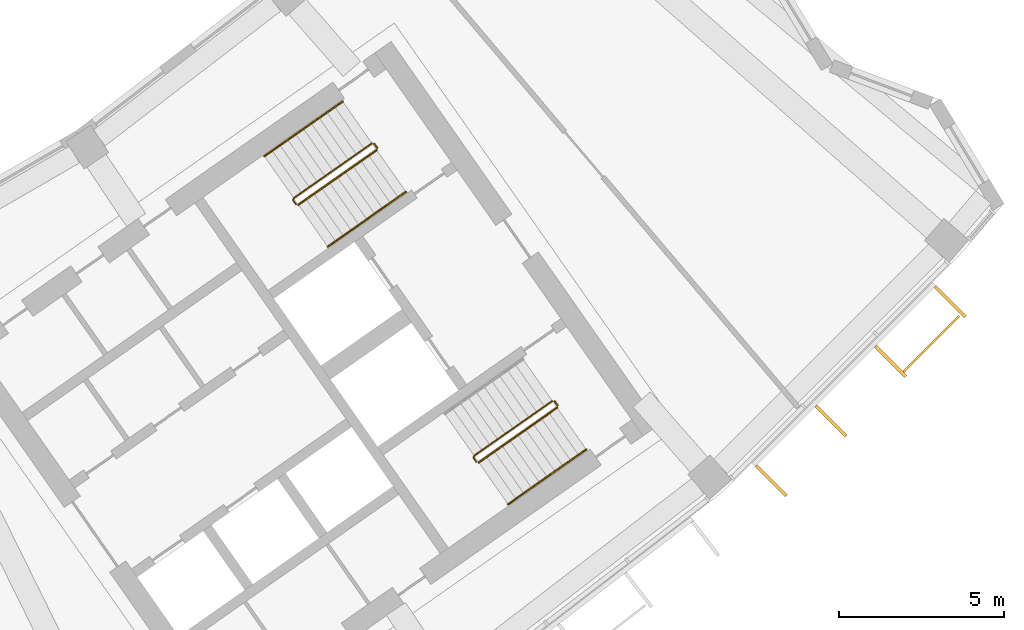
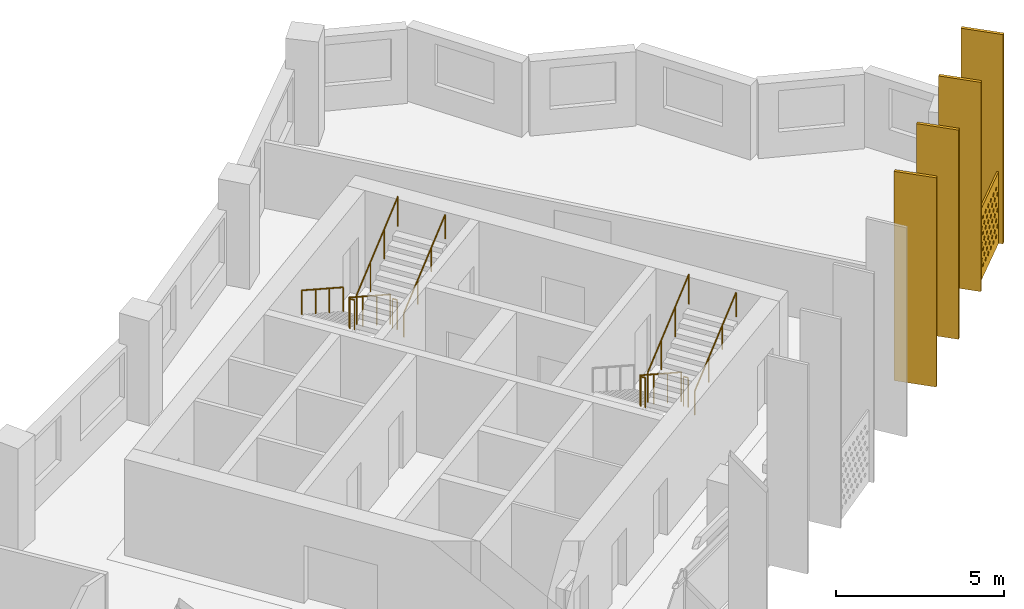
# One storey, part 28 of 28: 9 railings, 5 shading devices.
"""IFC4 building model written with IfcOpenShell, lengths in metres."""

from ifc_helpers import new_model, si_unit, direction, frame, origin, origin_2d, place, context, subcontext, project, spatial, polyline, rectangle, circle, outline, extrude, material, material_profile, profile_set, type_object, element, save


model = new_model("IFC4")

# Units and contexts
model_context = context("Model", 3, precision=1e-05, world=origin(), true_north=direction((0.0, 1.0)))
body_context = subcontext(model_context, "Body", "Model", "MODEL_VIEW")
ifc_project = project(units=[si_unit("LENGTHUNIT", "METRE"), si_unit("AREAUNIT", "SQUARE_METRE"), si_unit("VOLUMEUNIT", "CUBIC_METRE"), si_unit("PLANEANGLEUNIT", "RADIAN"), si_unit("MASSUNIT", "GRAM", prefix="KILO")], contexts=[model_context])

# Site, building, storey
site_placement = place(None, origin())
site = spatial("IfcSite", under=ifc_project, at=site_placement, CompositionType="ELEMENT")
building_placement = place(site_placement, origin())
building = spatial("IfcBuilding", under=site, at=building_placement, Name="Qamariyya Broadcast Tower", CompositionType="ELEMENT")
storey_placement = place(building_placement, frame((0.0, 0.0, 265.699951171875)))
storey = spatial("IfcBuildingStorey", under=building, at=storey_placement, Name="L64", CompositionType="ELEMENT", Elevation=265.699951171875)

# Shading device
ifc_material_1 = material(Name="Perforated glazed terracotta", Category="masonry")
ifc_material_profile_1 = material_profile(ifc_material_1, outline(polyline([(-1.199951171875, -1.300048828125), (1.199951171875, -1.300048828125), (1.199951171875, 1.300048828125), (-1.199951171875, 1.300048828125), (-1.199951171875, -1.300048828125)]), holes=[polyline([(-0.81494140625, -0.86669921875), (-0.89990234375, -0.78173828125), (-0.985107421875, -0.86669921875), (-0.89990234375, -0.95166015625), (-0.81494140625, -0.86669921875)]), polyline([(-0.514892578125, -0.86669921875), (-0.60009765625, -0.78173828125), (-0.68505859375, -0.86669921875), (-0.60009765625, -0.95166015625), (-0.514892578125, -0.86669921875)]), polyline([(-0.215087890625, -0.86669921875), (-0.300048828125, -0.78173828125), (-0.385009765625, -0.86669921875), (-0.300048828125, -0.95166015625), (-0.215087890625, -0.86669921875)]), polyline([(0.0849609375, -0.86669921875), (0.0, -0.78173828125), (-0.0849609375, -0.86669921875), (0.0, -0.95166015625), (0.0849609375, -0.86669921875)]), polyline([(0.385009765625, -0.86669921875), (0.300048828125, -0.78173828125), (0.215087890625, -0.86669921875), (0.300048828125, -0.95166015625), (0.385009765625, -0.86669921875)]), polyline([(0.68505859375, -0.86669921875), (0.60009765625, -0.78173828125), (0.514892578125, -0.86669921875), (0.60009765625, -0.95166015625), (0.68505859375, -0.86669921875)]), polyline([(0.985107421875, -0.86669921875), (0.89990234375, -0.78173828125), (0.81494140625, -0.86669921875), (0.89990234375, -0.95166015625), (0.985107421875, -0.86669921875)]), polyline([(-0.965087890625, -0.577880859375), (-1.050048828125, -0.49267578125), (-1.135009765625, -0.577880859375), (-1.050048828125, -0.662841796875), (-0.965087890625, -0.577880859375)]), polyline([(-0.6650390625, -0.577880859375), (-0.75, -0.49267578125), (-0.8349609375, -0.577880859375), (-0.75, -0.662841796875), (-0.6650390625, -0.577880859375)]), polyline([(-0.364990234375, -0.577880859375), (-0.449951171875, -0.49267578125), (-0.534912109375, -0.577880859375), (-0.449951171875, -0.662841796875), (-0.364990234375, -0.577880859375)]), polyline([(-0.06494140625, -0.577880859375), (-0.14990234375, -0.49267578125), (-0.235107421875, -0.577880859375), (-0.14990234375, -0.662841796875), (-0.06494140625, -0.577880859375)]), polyline([(0.235107421875, -0.577880859375), (0.14990234375, -0.49267578125), (0.06494140625, -0.577880859375), (0.14990234375, -0.662841796875), (0.235107421875, -0.577880859375)]), polyline([(0.534912109375, -0.577880859375), (0.449951171875, -0.49267578125), (0.364990234375, -0.577880859375), (0.449951171875, -0.662841796875), (0.534912109375, -0.577880859375)]), polyline([(0.8349609375, -0.577880859375), (0.75, -0.49267578125), (0.6650390625, -0.577880859375), (0.75, -0.662841796875), (0.8349609375, -0.577880859375)]), polyline([(1.135009765625, -0.577880859375), (1.050048828125, -0.49267578125), (0.965087890625, -0.577880859375), (1.050048828125, -0.662841796875), (1.135009765625, -0.577880859375)]), polyline([(-0.81494140625, -0.288818359375), (-0.89990234375, -0.203857421875), (-0.985107421875, -0.288818359375), (-0.89990234375, -0.373779296875), (-0.81494140625, -0.288818359375)]), polyline([(-0.514892578125, -0.288818359375), (-0.60009765625, -0.203857421875), (-0.68505859375, -0.288818359375), (-0.60009765625, -0.373779296875), (-0.514892578125, -0.288818359375)]), polyline([(-0.215087890625, -0.288818359375), (-0.300048828125, -0.203857421875), (-0.385009765625, -0.288818359375), (-0.300048828125, -0.373779296875), (-0.215087890625, -0.288818359375)]), polyline([(0.0849609375, -0.288818359375), (0.0, -0.203857421875), (-0.0849609375, -0.288818359375), (0.0, -0.373779296875), (0.0849609375, -0.288818359375)]), polyline([(0.385009765625, -0.288818359375), (0.300048828125, -0.203857421875), (0.215087890625, -0.288818359375), (0.300048828125, -0.373779296875), (0.385009765625, -0.288818359375)]), polyline([(0.68505859375, -0.288818359375), (0.60009765625, -0.203857421875), (0.514892578125, -0.288818359375), (0.60009765625, -0.373779296875), (0.68505859375, -0.288818359375)]), polyline([(0.985107421875, -0.288818359375), (0.89990234375, -0.203857421875), (0.81494140625, -0.288818359375), (0.89990234375, -0.373779296875), (0.985107421875, -0.288818359375)]), polyline([(-0.965087890625, 0.0), (-1.050048828125, 0.0849609375), (-1.135009765625, 0.0), (-1.050048828125, -0.0849609375), (-0.965087890625, 0.0)]), polyline([(-0.6650390625, 0.0), (-0.75, 0.0849609375), (-0.8349609375, 0.0), (-0.75, -0.0849609375), (-0.6650390625, 0.0)]), polyline([(-0.364990234375, 0.0), (-0.449951171875, 0.0849609375), (-0.534912109375, 0.0), (-0.449951171875, -0.0849609375), (-0.364990234375, 0.0)]), polyline([(-0.06494140625, 0.0), (-0.14990234375, 0.0849609375), (-0.235107421875, 0.0), (-0.14990234375, -0.0849609375), (-0.06494140625, 0.0)]), polyline([(0.235107421875, 0.0), (0.14990234375, 0.0849609375), (0.06494140625, 0.0), (0.14990234375, -0.0849609375), (0.235107421875, 0.0)]), polyline([(0.534912109375, 0.0), (0.449951171875, 0.0849609375), (0.364990234375, 0.0), (0.449951171875, -0.0849609375), (0.534912109375, 0.0)]), polyline([(0.8349609375, 0.0), (0.75, 0.0849609375), (0.6650390625, 0.0), (0.75, -0.0849609375), (0.8349609375, 0.0)]), polyline([(1.135009765625, 0.0), (1.050048828125, 0.0849609375), (0.965087890625, 0.0), (1.050048828125, -0.0849609375), (1.135009765625, 0.0)]), polyline([(-0.81494140625, 0.288818359375), (-0.89990234375, 0.373779296875), (-0.985107421875, 0.288818359375), (-0.89990234375, 0.203857421875), (-0.81494140625, 0.288818359375)]), polyline([(-0.514892578125, 0.288818359375), (-0.60009765625, 0.373779296875), (-0.68505859375, 0.288818359375), (-0.60009765625, 0.203857421875), (-0.514892578125, 0.288818359375)]), polyline([(-0.215087890625, 0.288818359375), (-0.300048828125, 0.373779296875), (-0.385009765625, 0.288818359375), (-0.300048828125, 0.203857421875), (-0.215087890625, 0.288818359375)]), polyline([(0.0849609375, 0.288818359375), (0.0, 0.373779296875), (-0.0849609375, 0.288818359375), (0.0, 0.203857421875), (0.0849609375, 0.288818359375)]), polyline([(0.385009765625, 0.288818359375), (0.300048828125, 0.373779296875), (0.215087890625, 0.288818359375), (0.300048828125, 0.203857421875), (0.385009765625, 0.288818359375)]), polyline([(0.68505859375, 0.288818359375), (0.60009765625, 0.373779296875), (0.514892578125, 0.288818359375), (0.60009765625, 0.203857421875), (0.68505859375, 0.288818359375)]), polyline([(0.985107421875, 0.288818359375), (0.89990234375, 0.373779296875), (0.81494140625, 0.288818359375), (0.89990234375, 0.203857421875), (0.985107421875, 0.288818359375)]), polyline([(-0.965087890625, 0.577880859375), (-1.050048828125, 0.662841796875), (-1.135009765625, 0.577880859375), (-1.050048828125, 0.49267578125), (-0.965087890625, 0.577880859375)]), polyline([(-0.6650390625, 0.577880859375), (-0.75, 0.662841796875), (-0.8349609375, 0.577880859375), (-0.75, 0.49267578125), (-0.6650390625, 0.577880859375)]), polyline([(-0.364990234375, 0.577880859375), (-0.449951171875, 0.662841796875), (-0.534912109375, 0.577880859375), (-0.449951171875, 0.49267578125), (-0.364990234375, 0.577880859375)]), polyline([(-0.06494140625, 0.577880859375), (-0.14990234375, 0.662841796875), (-0.235107421875, 0.577880859375), (-0.14990234375, 0.49267578125), (-0.06494140625, 0.577880859375)]), polyline([(0.235107421875, 0.577880859375), (0.14990234375, 0.662841796875), (0.06494140625, 0.577880859375), (0.14990234375, 0.49267578125), (0.235107421875, 0.577880859375)]), polyline([(0.534912109375, 0.577880859375), (0.449951171875, 0.662841796875), (0.364990234375, 0.577880859375), (0.449951171875, 0.49267578125), (0.534912109375, 0.577880859375)]), polyline([(0.8349609375, 0.577880859375), (0.75, 0.662841796875), (0.6650390625, 0.577880859375), (0.75, 0.49267578125), (0.8349609375, 0.577880859375)]), polyline([(1.135009765625, 0.577880859375), (1.050048828125, 0.662841796875), (0.965087890625, 0.577880859375), (1.050048828125, 0.49267578125), (1.135009765625, 0.577880859375)]), polyline([(-0.81494140625, 0.86669921875), (-0.89990234375, 0.95166015625), (-0.985107421875, 0.86669921875), (-0.89990234375, 0.78173828125), (-0.81494140625, 0.86669921875)]), polyline([(-0.514892578125, 0.86669921875), (-0.60009765625, 0.95166015625), (-0.68505859375, 0.86669921875), (-0.60009765625, 0.78173828125), (-0.514892578125, 0.86669921875)]), polyline([(-0.215087890625, 0.86669921875), (-0.300048828125, 0.95166015625), (-0.385009765625, 0.86669921875), (-0.300048828125, 0.78173828125), (-0.215087890625, 0.86669921875)]), polyline([(0.0849609375, 0.86669921875), (0.0, 0.95166015625), (-0.0849609375, 0.86669921875), (0.0, 0.78173828125), (0.0849609375, 0.86669921875)]), polyline([(0.385009765625, 0.86669921875), (0.300048828125, 0.95166015625), (0.215087890625, 0.86669921875), (0.300048828125, 0.78173828125), (0.385009765625, 0.86669921875)]), polyline([(0.68505859375, 0.86669921875), (0.60009765625, 0.95166015625), (0.514892578125, 0.86669921875), (0.60009765625, 0.78173828125), (0.68505859375, 0.86669921875)]), polyline([(0.985107421875, 0.86669921875), (0.89990234375, 0.95166015625), (0.81494140625, 0.86669921875), (0.89990234375, 0.78173828125), (0.985107421875, 0.86669921875)])]))
ifc_profile_set_1 = profile_set([ifc_material_profile_1], Name="Perforated glazed terracotta")
shading_device_type_1 = type_object("IfcShadingDeviceType", Name="Perforated terracotta screen 2400 x 2600", PredefinedType="USERDEFINED", material=ifc_profile_set_1)
shading_device_placement = place(storey_placement, frame((57.970947265625, -54.391357421875, 1.35009765625), z_axis=(0.707106781187, -0.707106781187, 0.0), x_axis=(0.707106781187, 0.707106781187, 0.0)))
element("IfcShadingDevice", 1, at=shading_device_placement, inside=storey, type_object=shading_device_type_1, Name="e-scr-L64-13-2", ObjectType="SCREEN", PredefinedType="USERDEFINED", context=body_context, shape_type="SweptSolid", body=[
    extrude(outline(polyline([(-1.199951171875, -1.300048828125), (1.199951171875, -1.300048828125), (1.199951171875, 1.300048828125), (-1.199951171875, 1.300048828125), (-1.199951171875, -1.300048828125)]), holes=[polyline([(-0.81494140625, -0.86669921875), (-0.89990234375, -0.78173828125), (-0.985107421875, -0.86669921875), (-0.89990234375, -0.95166015625), (-0.81494140625, -0.86669921875)]), polyline([(-0.514892578125, -0.86669921875), (-0.60009765625, -0.78173828125), (-0.68505859375, -0.86669921875), (-0.60009765625, -0.95166015625), (-0.514892578125, -0.86669921875)]), polyline([(-0.215087890625, -0.86669921875), (-0.300048828125, -0.78173828125), (-0.385009765625, -0.86669921875), (-0.300048828125, -0.95166015625), (-0.215087890625, -0.86669921875)]), polyline([(0.0849609375, -0.86669921875), (0.0, -0.78173828125), (-0.0849609375, -0.86669921875), (0.0, -0.95166015625), (0.0849609375, -0.86669921875)]), polyline([(0.385009765625, -0.86669921875), (0.300048828125, -0.78173828125), (0.215087890625, -0.86669921875), (0.300048828125, -0.95166015625), (0.385009765625, -0.86669921875)]), polyline([(0.68505859375, -0.86669921875), (0.60009765625, -0.78173828125), (0.514892578125, -0.86669921875), (0.60009765625, -0.95166015625), (0.68505859375, -0.86669921875)]), polyline([(0.985107421875, -0.86669921875), (0.89990234375, -0.78173828125), (0.81494140625, -0.86669921875), (0.89990234375, -0.95166015625), (0.985107421875, -0.86669921875)]), polyline([(-0.965087890625, -0.577880859375), (-1.050048828125, -0.49267578125), (-1.135009765625, -0.577880859375), (-1.050048828125, -0.662841796875), (-0.965087890625, -0.577880859375)]), polyline([(-0.6650390625, -0.577880859375), (-0.75, -0.49267578125), (-0.8349609375, -0.577880859375), (-0.75, -0.662841796875), (-0.6650390625, -0.577880859375)]), polyline([(-0.364990234375, -0.577880859375), (-0.449951171875, -0.49267578125), (-0.534912109375, -0.577880859375), (-0.449951171875, -0.662841796875), (-0.364990234375, -0.577880859375)]), polyline([(-0.06494140625, -0.577880859375), (-0.14990234375, -0.49267578125), (-0.235107421875, -0.577880859375), (-0.14990234375, -0.662841796875), (-0.06494140625, -0.577880859375)]), polyline([(0.235107421875, -0.577880859375), (0.14990234375, -0.49267578125), (0.06494140625, -0.577880859375), (0.14990234375, -0.662841796875), (0.235107421875, -0.577880859375)]), polyline([(0.534912109375, -0.577880859375), (0.449951171875, -0.49267578125), (0.364990234375, -0.577880859375), (0.449951171875, -0.662841796875), (0.534912109375, -0.577880859375)]), polyline([(0.8349609375, -0.577880859375), (0.75, -0.49267578125), (0.6650390625, -0.577880859375), (0.75, -0.662841796875), (0.8349609375, -0.577880859375)]), polyline([(1.135009765625, -0.577880859375), (1.050048828125, -0.49267578125), (0.965087890625, -0.577880859375), (1.050048828125, -0.662841796875), (1.135009765625, -0.577880859375)]), polyline([(-0.81494140625, -0.288818359375), (-0.89990234375, -0.203857421875), (-0.985107421875, -0.288818359375), (-0.89990234375, -0.373779296875), (-0.81494140625, -0.288818359375)]), polyline([(-0.514892578125, -0.288818359375), (-0.60009765625, -0.203857421875), (-0.68505859375, -0.288818359375), (-0.60009765625, -0.373779296875), (-0.514892578125, -0.288818359375)]), polyline([(-0.215087890625, -0.288818359375), (-0.300048828125, -0.203857421875), (-0.385009765625, -0.288818359375), (-0.300048828125, -0.373779296875), (-0.215087890625, -0.288818359375)]), polyline([(0.0849609375, -0.288818359375), (0.0, -0.203857421875), (-0.0849609375, -0.288818359375), (0.0, -0.373779296875), (0.0849609375, -0.288818359375)]), polyline([(0.385009765625, -0.288818359375), (0.300048828125, -0.203857421875), (0.215087890625, -0.288818359375), (0.300048828125, -0.373779296875), (0.385009765625, -0.288818359375)]), polyline([(0.68505859375, -0.288818359375), (0.60009765625, -0.203857421875), (0.514892578125, -0.288818359375), (0.60009765625, -0.373779296875), (0.68505859375, -0.288818359375)]), polyline([(0.985107421875, -0.288818359375), (0.89990234375, -0.203857421875), (0.81494140625, -0.288818359375), (0.89990234375, -0.373779296875), (0.985107421875, -0.288818359375)]), polyline([(-0.965087890625, 0.0), (-1.050048828125, 0.0849609375), (-1.135009765625, 0.0), (-1.050048828125, -0.0849609375), (-0.965087890625, 0.0)]), polyline([(-0.6650390625, 0.0), (-0.75, 0.0849609375), (-0.8349609375, 0.0), (-0.75, -0.0849609375), (-0.6650390625, 0.0)]), polyline([(-0.364990234375, 0.0), (-0.449951171875, 0.0849609375), (-0.534912109375, 0.0), (-0.449951171875, -0.0849609375), (-0.364990234375, 0.0)]), polyline([(-0.06494140625, 0.0), (-0.14990234375, 0.0849609375), (-0.235107421875, 0.0), (-0.14990234375, -0.0849609375), (-0.06494140625, 0.0)]), polyline([(0.235107421875, 0.0), (0.14990234375, 0.0849609375), (0.06494140625, 0.0), (0.14990234375, -0.0849609375), (0.235107421875, 0.0)]), polyline([(0.534912109375, 0.0), (0.449951171875, 0.0849609375), (0.364990234375, 0.0), (0.449951171875, -0.0849609375), (0.534912109375, 0.0)]), polyline([(0.8349609375, 0.0), (0.75, 0.0849609375), (0.6650390625, 0.0), (0.75, -0.0849609375), (0.8349609375, 0.0)]), polyline([(1.135009765625, 0.0), (1.050048828125, 0.0849609375), (0.965087890625, 0.0), (1.050048828125, -0.0849609375), (1.135009765625, 0.0)]), polyline([(-0.81494140625, 0.288818359375), (-0.89990234375, 0.373779296875), (-0.985107421875, 0.288818359375), (-0.89990234375, 0.203857421875), (-0.81494140625, 0.288818359375)]), polyline([(-0.514892578125, 0.288818359375), (-0.60009765625, 0.373779296875), (-0.68505859375, 0.288818359375), (-0.60009765625, 0.203857421875), (-0.514892578125, 0.288818359375)]), polyline([(-0.215087890625, 0.288818359375), (-0.300048828125, 0.373779296875), (-0.385009765625, 0.288818359375), (-0.300048828125, 0.203857421875), (-0.215087890625, 0.288818359375)]), polyline([(0.0849609375, 0.288818359375), (0.0, 0.373779296875), (-0.0849609375, 0.288818359375), (0.0, 0.203857421875), (0.0849609375, 0.288818359375)]), polyline([(0.385009765625, 0.288818359375), (0.300048828125, 0.373779296875), (0.215087890625, 0.288818359375), (0.300048828125, 0.203857421875), (0.385009765625, 0.288818359375)]), polyline([(0.68505859375, 0.288818359375), (0.60009765625, 0.373779296875), (0.514892578125, 0.288818359375), (0.60009765625, 0.203857421875), (0.68505859375, 0.288818359375)]), polyline([(0.985107421875, 0.288818359375), (0.89990234375, 0.373779296875), (0.81494140625, 0.288818359375), (0.89990234375, 0.203857421875), (0.985107421875, 0.288818359375)]), polyline([(-0.965087890625, 0.577880859375), (-1.050048828125, 0.662841796875), (-1.135009765625, 0.577880859375), (-1.050048828125, 0.49267578125), (-0.965087890625, 0.577880859375)]), polyline([(-0.6650390625, 0.577880859375), (-0.75, 0.662841796875), (-0.8349609375, 0.577880859375), (-0.75, 0.49267578125), (-0.6650390625, 0.577880859375)]), polyline([(-0.364990234375, 0.577880859375), (-0.449951171875, 0.662841796875), (-0.534912109375, 0.577880859375), (-0.449951171875, 0.49267578125), (-0.364990234375, 0.577880859375)]), polyline([(-0.06494140625, 0.577880859375), (-0.14990234375, 0.662841796875), (-0.235107421875, 0.577880859375), (-0.14990234375, 0.49267578125), (-0.06494140625, 0.577880859375)]), polyline([(0.235107421875, 0.577880859375), (0.14990234375, 0.662841796875), (0.06494140625, 0.577880859375), (0.14990234375, 0.49267578125), (0.235107421875, 0.577880859375)]), polyline([(0.534912109375, 0.577880859375), (0.449951171875, 0.662841796875), (0.364990234375, 0.577880859375), (0.449951171875, 0.49267578125), (0.534912109375, 0.577880859375)]), polyline([(0.8349609375, 0.577880859375), (0.75, 0.662841796875), (0.6650390625, 0.577880859375), (0.75, 0.49267578125), (0.8349609375, 0.577880859375)]), polyline([(1.135009765625, 0.577880859375), (1.050048828125, 0.662841796875), (0.965087890625, 0.577880859375), (1.050048828125, 0.49267578125), (1.135009765625, 0.577880859375)]), polyline([(-0.81494140625, 0.86669921875), (-0.89990234375, 0.95166015625), (-0.985107421875, 0.86669921875), (-0.89990234375, 0.78173828125), (-0.81494140625, 0.86669921875)]), polyline([(-0.514892578125, 0.86669921875), (-0.60009765625, 0.95166015625), (-0.68505859375, 0.86669921875), (-0.60009765625, 0.78173828125), (-0.514892578125, 0.86669921875)]), polyline([(-0.215087890625, 0.86669921875), (-0.300048828125, 0.95166015625), (-0.385009765625, 0.86669921875), (-0.300048828125, 0.78173828125), (-0.215087890625, 0.86669921875)]), polyline([(0.0849609375, 0.86669921875), (0.0, 0.95166015625), (-0.0849609375, 0.86669921875), (0.0, 0.78173828125), (0.0849609375, 0.86669921875)]), polyline([(0.385009765625, 0.86669921875), (0.300048828125, 0.95166015625), (0.215087890625, 0.86669921875), (0.300048828125, 0.78173828125), (0.385009765625, 0.86669921875)]), polyline([(0.68505859375, 0.86669921875), (0.60009765625, 0.95166015625), (0.514892578125, 0.86669921875), (0.60009765625, 0.78173828125), (0.68505859375, 0.86669921875)]), polyline([(0.985107421875, 0.86669921875), (0.89990234375, 0.95166015625), (0.81494140625, 0.86669921875), (0.89990234375, 0.78173828125), (0.985107421875, 0.86669921875)])]), origin(), (0.0, 0.0, 1.0), 0.06005859375),
])

# Railings
ifc_material_2 = material(Name="Painted steel", Category="steel")
railing_type_1 = type_object("IfcRailingType", Name="Stair guard", PredefinedType="GUARDRAIL", material=ifc_material_2)
railing_1_placement = place(storey_placement, frame((41.003173828125, -48.320068359375, 0.1728515625)))
element("IfcRailing", 2, at=railing_1_placement, inside=storey, type_object=railing_type_1, Name="L64 ST-E2 stair guard 1", PredefinedType="GUARDRAIL", context=body_context, shape_type="SweptSolid", body=[
    extrude(circle(Radius=0.02392578125, at=origin_2d()), frame((0.0, 0.0, 1.076171875), z_axis=(-0.703770094002, -0.492783725636, 0.511734163933), x_axis=(0.573575343427, -0.819152809562, 0.0)), (0.0, 0.0, 1.0), 3.37548828125),
    extrude(circle(Radius=0.02392578125, at=origin_2d()), frame((-2.37548828125, -1.663330078125, 2.80322265625), z_axis=(-0.172799478008, -0.984957024646, 0.0), x_axis=(0.984957024646, -0.172799478008, 0.0)), (0.0, 0.0, 1.0), 0.070556640625),
    extrude(circle(Radius=0.02392578125, at=origin_2d()), frame((-2.3876953125, -1.73291015625, 2.80322265625), z_axis=(0.572588637393, -0.819842821722, 0.0), x_axis=(0.819842821722, 0.572588637393, 0.0)), (0.0, 0.0, 1.0), 0.150146484375),
    extrude(circle(Radius=0.02099609375, at=origin_2d()), origin(), (0.0, 0.0, 1.0), 1.052001953125),
    extrude(circle(Radius=0.02099609375, at=origin_2d()), frame((-0.791748046875, -0.554443359375, 0.57568359375)), (0.0, 0.0, 1.0), 1.052001953125),
    extrude(circle(Radius=0.02099609375, at=origin_2d()), frame((-1.583740234375, -1.10888671875, 1.151611328125)), (0.0, 0.0, 1.0), 1.052001953125),
    extrude(circle(Radius=0.02099609375, at=origin_2d()), frame((-2.37548828125, -1.663330078125, 1.727294921875)), (0.0, 0.0, 1.0), 1.052001953125),
    extrude(circle(Radius=0.02099609375, at=origin_2d()), frame((-2.3876953125, -1.73291015625, 1.727294921875)), (0.0, 0.0, 1.0), 1.052001953125),
    extrude(circle(Radius=0.02099609375, at=origin_2d()), frame((-2.3017578125, -1.85595703125, 1.727294921875)), (0.0, 0.0, 1.0), 1.052001953125),
])
railing_2_placement = place(storey_placement, frame((38.771240234375, -50.188232421875, 2.07275390625)))
element("IfcRailing", 3, at=railing_2_placement, inside=storey, type_object=railing_type_1, Name="L64 ST-E2 stair guard 2", PredefinedType="GUARDRAIL", context=body_context, shape_type="SweptSolid", body=[
    extrude(circle(Radius=0.02392578125, at=origin_2d()), frame((0.0, 0.0, 1.076171875), z_axis=(0.703770094002, 0.492783725636, 0.511734163933), x_axis=(-0.573575343427, 0.819152809562, 0.0)), (0.0, 0.0, 1.0), 3.37548828125),
    extrude(circle(Radius=0.02099609375, at=origin_2d()), origin(), (0.0, 0.0, 1.0), 1.052001953125),
    extrude(circle(Radius=0.02099609375, at=origin_2d()), frame((0.791748046875, 0.554443359375, 0.57568359375)), (0.0, 0.0, 1.0), 1.052001953125),
    extrude(circle(Radius=0.02099609375, at=origin_2d()), frame((1.583740234375, 1.10888671875, 1.151611328125)), (0.0, 0.0, 1.0), 1.052001953125),
    extrude(circle(Radius=0.02099609375, at=origin_2d()), frame((2.37548828125, 1.663330078125, 1.727294921875)), (0.0, 0.0, 1.0), 1.052001953125),
])
railing_3_placement = place(storey_placement, frame((41.072998046875, -48.332275390625, 0.0)))
element("IfcRailing", 4, at=railing_3_placement, inside=storey, type_object=railing_type_1, Name="L64 ST-E2 stair guard 3", PredefinedType="GUARDRAIL", context=body_context, shape_type="SweptSolid", body=[
    extrude(circle(Radius=0.02392578125, at=origin_2d()), frame((0.0, 0.0, 1.076171875), z_axis=(0.572588637393, -0.819842821722, 0.0), x_axis=(0.819842821722, 0.572588637393, 0.0)), (0.0, 0.0, 1.0), 0.150146484375),
    extrude(circle(Radius=0.02099609375, at=origin_2d()), origin(), (0.0, 0.0, 1.0), 1.052001953125),
    extrude(circle(Radius=0.02099609375, at=origin_2d()), frame((0.0859375, -0.123046875, 0.0)), (0.0, 0.0, 1.0), 1.052001953125),
])
railing_4_placement = place(storey_placement, frame((46.48095703125, -56.14306640625, 0.1728515625)))
element("IfcRailing", 5, at=railing_4_placement, inside=storey, type_object=railing_type_1, Name="L64 ST-E1 stair guard 1", PredefinedType="GUARDRAIL", context=body_context, shape_type="SweptSolid", body=[
    extrude(circle(Radius=0.02392578125, at=origin_2d()), frame((0.0, 0.0, 1.076171875), z_axis=(-0.703770094002, -0.492783725636, 0.511734163933), x_axis=(0.573575343427, -0.819152809562, 0.0)), (0.0, 0.0, 1.0), 3.37548828125),
    extrude(circle(Radius=0.02392578125, at=origin_2d()), frame((-2.37548828125, -1.663330078125, 2.80322265625), z_axis=(-0.176149252506, -0.984363469884, 0.0), x_axis=(0.984363469884, -0.176149252506, 0.0)), (0.0, 0.0, 1.0), 0.07080078125),
    extrude(circle(Radius=0.02392578125, at=origin_2d()), frame((-2.387939453125, -1.73291015625, 2.80322265625), z_axis=(0.574444878118, -0.818543268254, 0.0), x_axis=(0.818543268254, 0.574444878118, 0.0)), (0.0, 0.0, 1.0), 0.150146484375),
    extrude(circle(Radius=0.02099609375, at=origin_2d()), origin(), (0.0, 0.0, 1.0), 1.052001953125),
    extrude(circle(Radius=0.02099609375, at=origin_2d()), frame((-0.791748046875, -0.554443359375, 0.57568359375)), (0.0, 0.0, 1.0), 1.052001953125),
    extrude(circle(Radius=0.02099609375, at=origin_2d()), frame((-1.583740234375, -1.10888671875, 1.151611328125)), (0.0, 0.0, 1.0), 1.052001953125),
    extrude(circle(Radius=0.02099609375, at=origin_2d()), frame((-2.37548828125, -1.663330078125, 1.727294921875)), (0.0, 0.0, 1.0), 1.052001953125),
    extrude(circle(Radius=0.02099609375, at=origin_2d()), frame((-2.387939453125, -1.73291015625, 1.727294921875)), (0.0, 0.0, 1.0), 1.052001953125),
    extrude(circle(Radius=0.02099609375, at=origin_2d()), frame((-2.3017578125, -1.855712890625, 1.727294921875)), (0.0, 0.0, 1.0), 1.052001953125),
])
railing_5_placement = place(storey_placement, frame((44.248779296875, -58.01123046875, 2.07275390625)))
element("IfcRailing", 6, at=railing_5_placement, inside=storey, type_object=railing_type_1, Name="L64 ST-E1 stair guard 2", PredefinedType="GUARDRAIL", context=body_context, shape_type="SweptSolid", body=[
    extrude(circle(Radius=0.02392578125, at=origin_2d()), frame((0.0, 0.0, 1.076171875), z_axis=(0.703745009021, 0.492838488332, 0.511715923826), x_axis=(-0.573631830683, 0.819113253969, 0.0)), (0.0, 0.0, 1.0), 3.37548828125),
    extrude(circle(Radius=0.02099609375, at=origin_2d()), origin(), (0.0, 0.0, 1.0), 1.052001953125),
    extrude(circle(Radius=0.02099609375, at=origin_2d()), frame((0.791748046875, 0.554443359375, 0.57568359375)), (0.0, 0.0, 1.0), 1.052001953125),
    extrude(circle(Radius=0.02099609375, at=origin_2d()), frame((1.583740234375, 1.109130859375, 1.151611328125)), (0.0, 0.0, 1.0), 1.052001953125),
    extrude(circle(Radius=0.02099609375, at=origin_2d()), frame((2.37548828125, 1.66357421875, 1.727294921875)), (0.0, 0.0, 1.0), 1.052001953125),
])
railing_6_placement = place(storey_placement, frame((46.550537109375, -56.1552734375, 0.0)))
element("IfcRailing", 7, at=railing_6_placement, inside=storey, type_object=railing_type_1, Name="L64 ST-E1 stair guard 3", PredefinedType="GUARDRAIL", context=body_context, shape_type="SweptSolid", body=[
    extrude(circle(Radius=0.02392578125, at=origin_2d()), frame((0.0, 0.0, 1.076171875), z_axis=(0.574444878118, -0.818543268254, 0.0), x_axis=(0.818543268254, 0.574444878118, 0.0)), (0.0, 0.0, 1.0), 0.150146484375),
    extrude(circle(Radius=0.02099609375, at=origin_2d()), origin(), (0.0, 0.0, 1.0), 1.052001953125),
    extrude(circle(Radius=0.02099609375, at=origin_2d()), frame((0.086181640625, -0.122802734375, 0.0)), (0.0, 0.0, 1.0), 1.052001953125),
])
ifc_material_3 = material(Name="Stainless steel", Category="steel")
railing_type_2 = type_object("IfcRailingType", Name="Stair handrail", PredefinedType="HANDRAIL", material=ifc_material_3)
railing_7_placement = place(storey_placement, frame((40.1142578125, -47.05029296875, 0.1728515625)))
element("IfcRailing", 8, at=railing_7_placement, inside=storey, type_object=railing_type_2, Name="L64 ST-E2 stair handrail 1", PredefinedType="HANDRAIL", context=body_context, shape_type="SweptSolid", body=[
    extrude(circle(Radius=0.02392578125, at=origin_2d()), frame((0.0, 0.0, 0.8759765625), z_axis=(-0.703745009021, -0.492838488332, 0.511715923826), x_axis=(0.573631830683, -0.819113253969, 0.0)), (0.0, 0.0, 1.0), 3.37548828125),
    extrude(circle(Radius=0.02099609375, at=origin_2d()), origin(), (0.0, 0.0, 1.0), 0.851806640625),
    extrude(circle(Radius=0.02099609375, at=origin_2d()), frame((-0.791748046875, -0.554443359375, 0.57568359375)), (0.0, 0.0, 1.0), 0.851806640625),
    extrude(circle(Radius=0.02099609375, at=origin_2d()), frame((-1.583740234375, -1.109130859375, 1.151611328125)), (0.0, 0.0, 1.0), 0.851806640625),
    extrude(circle(Radius=0.02099609375, at=origin_2d()), frame((-2.37548828125, -1.66357421875, 1.727294921875)), (0.0, 0.0, 1.0), 0.851806640625),
])
railing_8_placement = place(storey_placement, frame((39.66015625, -51.4580078125, 2.07275390625)))
element("IfcRailing", 9, at=railing_8_placement, inside=storey, type_object=railing_type_2, Name="L64 ST-E2 stair handrail 2", PredefinedType="HANDRAIL", context=body_context, shape_type="SweptSolid", body=[
    extrude(circle(Radius=0.02392578125, at=origin_2d()), frame((0.0, 0.0, 0.8759765625), z_axis=(0.703745009021, 0.492838488332, 0.511715923826), x_axis=(-0.573631830683, 0.819113253969, 0.0)), (0.0, 0.0, 1.0), 3.37548828125),
    extrude(circle(Radius=0.02099609375, at=origin_2d()), origin(), (0.0, 0.0, 1.0), 0.851806640625),
    extrude(circle(Radius=0.02099609375, at=origin_2d()), frame((0.791748046875, 0.554443359375, 0.57568359375)), (0.0, 0.0, 1.0), 0.851806640625),
    extrude(circle(Radius=0.02099609375, at=origin_2d()), frame((1.583740234375, 1.109130859375, 1.151611328125)), (0.0, 0.0, 1.0), 0.851806640625),
    extrude(circle(Radius=0.02099609375, at=origin_2d()), frame((2.37548828125, 1.66357421875, 1.727294921875)), (0.0, 0.0, 1.0), 0.851806640625),
])
railing_9_placement = place(storey_placement, frame((45.137939453125, -59.28076171875, 2.07275390625)))
element("IfcRailing", 10, at=railing_9_placement, inside=storey, type_object=railing_type_2, Name="L64 ST-E1 stair handrail 2", PredefinedType="HANDRAIL", context=body_context, shape_type="SweptSolid", body=[
    extrude(circle(Radius=0.02392578125, at=origin_2d()), frame((0.0, 0.0, 0.8759765625), z_axis=(0.703770094002, 0.492783725636, 0.511734163933), x_axis=(-0.573575343427, 0.819152809562, 0.0)), (0.0, 0.0, 1.0), 3.37548828125),
    extrude(circle(Radius=0.02099609375, at=origin_2d()), origin(), (0.0, 0.0, 1.0), 0.851806640625),
    extrude(circle(Radius=0.02099609375, at=origin_2d()), frame((0.791748046875, 0.554443359375, 0.57568359375)), (0.0, 0.0, 1.0), 0.851806640625),
    extrude(circle(Radius=0.02099609375, at=origin_2d()), frame((1.583740234375, 1.10888671875, 1.151611328125)), (0.0, 0.0, 1.0), 0.851806640625),
    extrude(circle(Radius=0.02099609375, at=origin_2d()), frame((2.37548828125, 1.663330078125, 1.727294921875)), (0.0, 0.0, 1.0), 0.851806640625),
])

# Shading devices
ifc_material_4 = material(Name="Glazed terracotta", Category="masonry")
ifc_material_profile_2 = material_profile(ifc_material_4, rectangle(XDim=1.300048828125, YDim=0.10009765625, at=origin_2d()))
ifc_profile_set_2 = profile_set([ifc_material_profile_2], Name="Glazed terracotta")
shading_device_type_2 = type_object("IfcShadingDeviceType", Name="Terracotta fin 100 x 1300", PredefinedType="USERDEFINED", material=ifc_profile_set_2)
for number, where, z_axis, x_axis, name in (
    (11, (53.13134765625, -58.56640625, 0.0), (0.0, 0.0, 1.0), (0.707106781187, -0.707106781187, 0.0), "e-fin-L64-13-0"),
    (12, (54.943115234375, -56.754638671875, 0.0), (0.0, 0.0, 1.0), (0.707106781187, -0.707106781187, 0.0), "e-fin-L64-13-1"),
    (13, (56.754638671875, -54.943115234375, 0.0), (0.0, 0.0, 1.0), (0.707106781187, -0.707106781187, 0.0), "e-fin-L64-13-2"),
    (14, (58.56640625, -53.13134765625, 0.0), (0.0, 0.0, 1.0), (0.707106781187, -0.707106781187, 0.0), "e-fin-L64-13-3"),
):
    element("IfcShadingDevice", number, at=place(storey_placement, frame(where, z_axis=z_axis, x_axis=x_axis)), inside=storey, type_object=shading_device_type_2, Name=name, ObjectType="FIN", PredefinedType="USERDEFINED", context=body_context, shape_type="SweptSolid", body=[
        extrude(rectangle(XDim=1.300048828125, YDim=0.10009765625, at=origin_2d()), origin(), (0.0, 0.0, 1.0), 7.60009765625),
    ])

save(model, "model.ifc")
